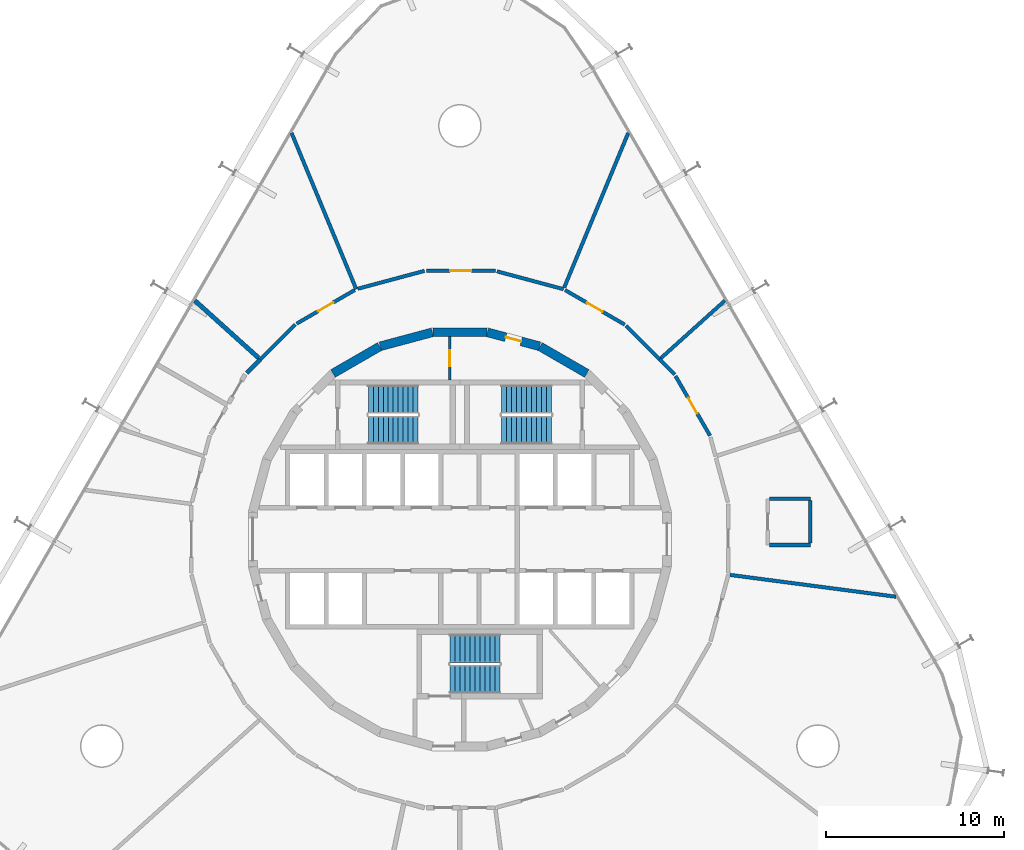
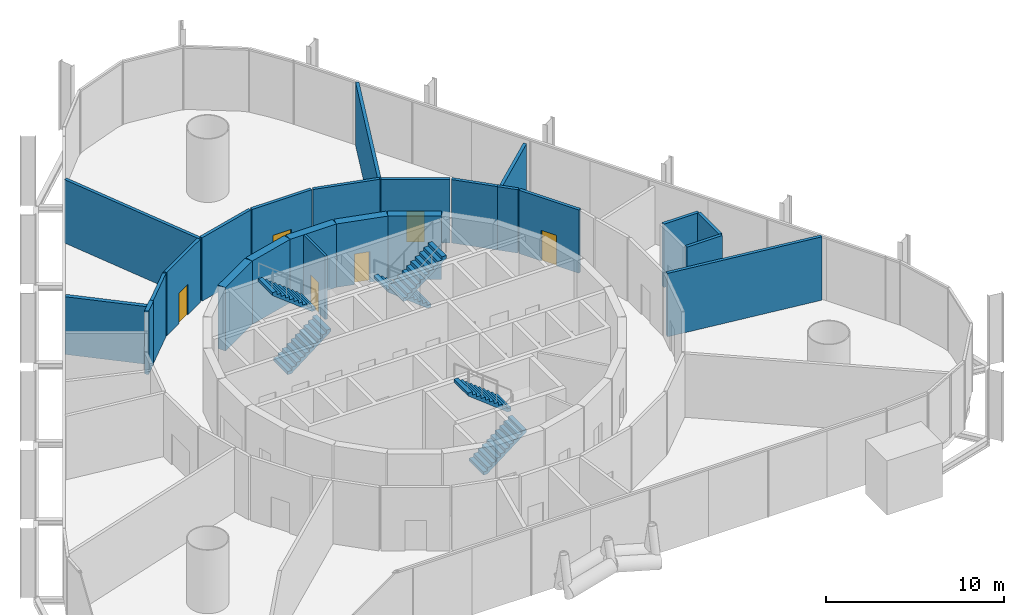
# One storey, part 16 of 17: 24 walls, 6 doors, 6 stair flights, 6 openings, 3 elements without a shape of their own.
"""IFC4 building model written with IfcOpenShell, lengths in metres."""

from ifc_helpers import new_model, si_unit, direction, frame, frame_2d, origin, place, context, subcontext, project, spatial, polyline, rectangle, outline, extrude, material, layer, layer_set, type_object, element, fill, aggregate, save


model = new_model("IFC4")

# Units and contexts
model_context = context("Model", 3, precision=1e-05, world=origin(), true_north=direction((0.0, 1.0)))
body_context = subcontext(model_context, "Body", "Model", "MODEL_VIEW")
ifc_project = project(units=[si_unit("LENGTHUNIT", "METRE"), si_unit("AREAUNIT", "SQUARE_METRE"), si_unit("VOLUMEUNIT", "CUBIC_METRE"), si_unit("PLANEANGLEUNIT", "RADIAN"), si_unit("MASSUNIT", "GRAM", prefix="KILO")], contexts=[model_context])

# Site, building, storey
site_placement = place(None, origin())
site = spatial("IfcSite", under=ifc_project, at=site_placement, CompositionType="ELEMENT")
building_placement = place(site_placement, origin())
building = spatial("IfcBuilding", under=site, at=building_placement, Name="Spindle Arch Residences", CompositionType="ELEMENT")
storey_placement = place(building_placement, frame((0.0, 0.0, 28.199951171875)))
storey = spatial("IfcBuildingStorey", under=building, at=storey_placement, Name="L05", CompositionType="ELEMENT", Elevation=28.199951171875)

# Wall
ifc_material_1 = material(Name="Concrete C50/60", Category="concrete")
ifc_layer_1 = layer(ifc_material_1, 0.5)
ifc_layer_set_1 = layer_set([ifc_layer_1], Name="Core outline wall 500")
wall_type_1 = type_object("IfcWallType", Name="Core outline wall 500", PredefinedType="SHEAR", material=ifc_layer_set_1)
wall_1_placement = place(storey_placement, frame((7.13671875, 9.32861328125, 0.0), z_axis=(0.0, 0.0, 1.0), x_axis=(-0.865975092491, 0.500087131594, 0.0)))
element("IfcWall", 1, at=wall_1_placement, inside=storey, type_object=wall_type_1, Name="Core outline wall 10", PredefinedType="SHEAR", context=body_context, shape_type="SweptSolid", body=[
    extrude(rectangle(XDim=3.03271484375, YDim=0.5, at=frame_2d((1.516357421875, 0.0))), origin(), (0.0, 0.0, 1.0), 4.35009765625),
])

# Wall, opening, door
wall_2_placement = place(storey_placement, frame((4.479248046875, 10.858154296875, 0.0), z_axis=(0.0, 0.0, 1.0), x_axis=(-0.965948410781, 0.258734743916, 0.0)))
wall_2 = element("IfcWall", 2, at=wall_2_placement, inside=storey, type_object=wall_type_1, Name="Core outline wall 11", PredefinedType="SHEAR", context=body_context, shape_type="SweptSolid", body=[
    extrude(rectangle(XDim=3.03271484375, YDim=0.5, at=frame_2d((1.516357421875, 0.0))), origin(), (0.0, 0.0, 1.0), 4.35009765625),
])
opening_1_placement = place(wall_2_placement, frame((1.066162109375, 0.0, 0.0)))
opening_1 = element("IfcOpeningElement", 3, at=opening_1_placement, cuts=wall_2, Name="Opening L05-WD12", PredefinedType="OPENING", context=body_context, shape_type="SweptSolid", body=[
    extrude(rectangle(XDim=0.89990234375, YDim=2.10009765625, at=frame_2d((0.449951171875, 1.050048828125))), frame((0.0, 0.260009765625, 0.0), z_axis=(0.0, -1.0, 0.0), x_axis=(1.0, 0.0, 0.0)), (0.0, 0.0, 1.0), 0.52001953125),
])
ifc_material_2 = material(Name="Steel, fire-resisting door", Category="steel")
door_type_1 = type_object("IfcDoorType", Name="Service room door 900x2100", OperationType="SINGLE_SWING_LEFT", PredefinedType="DOOR", material=ifc_material_2)
door_1_placement = place(opening_1_placement, origin())
door_1 = element("IfcDoor", 4, at=door_1_placement, inside=storey, type_object=door_type_1, Name="Service room door L05-WD12", OperationType="SINGLE_SWING_LEFT", OverallHeight=2.10009765625, OverallWidth=0.89990234375, PredefinedType="DOOR", context=body_context, shape_type="SweptSolid", body=[
    extrude(rectangle(XDim=0.89990234375, YDim=2.10009765625, at=frame_2d((0.449951171875, 1.050048828125))), frame((0.0, 0.02490234375, 0.0), z_axis=(0.0, -1.0, 0.0), x_axis=(1.0, 0.0, 0.0)), (0.0, 0.0, 1.0), 0.050048828125),
])
fill(opening_1, door_1)

# Walls
for number, where, z_axis, x_axis, name in (
    (5, (1.516357421875, 11.647216796875, 0.0), (0.0, 0.0, 1.0), (-1.0, 0.0, 0.0), "Core outline wall 12"),
    (6, (-1.5498046875, 11.642822265625, 0.0), (0.0, 0.0, 1.0), (-0.965948410781, -0.258734743916, 0.0), "Core outline wall 13"),
    (7, (-4.510498046875, 10.84521484375, 0.0), (0.0, 0.0, 1.0), (-0.865975092491, -0.500087131594, 0.0), "Core outline wall 14"),
):
    element("IfcWall", number, at=place(storey_placement, frame(where, z_axis=z_axis, x_axis=x_axis)), inside=storey, type_object=wall_type_1, Name=name, PredefinedType="SHEAR", context=body_context, shape_type="SweptSolid", body=[
        extrude(rectangle(XDim=3.03271484375, YDim=0.5, at=frame_2d((1.516357421875, 0.0))), origin(), (0.0, 0.0, 1.0), 4.35009765625),
    ])
ifc_material_3 = material(Name="Concrete C25/30 wall", Category="concrete")
ifc_layer_2 = layer(ifc_material_3, 0.25)
ifc_layer_set_2 = layer_set([ifc_layer_2], Name="Partition EI 120 250 store")
wall_type_2 = type_object("IfcWallType", Name="Partition EI 120 250 store", PredefinedType="PARTITIONING", material=ifc_layer_set_2)
wall_3_placement = place(storey_placement, frame((-11.322998046875, 10.20361328125, 0.0), z_axis=(0.0, 0.0, 1.0), x_axis=(-0.743490383827, 0.668746625529, 0.0)))
element("IfcWall", 8, at=wall_3_placement, inside=storey, type_object=wall_type_2, Name="L05-W016", PredefinedType="PARTITIONING", context=body_context, shape_type="SweptSolid", body=[
    extrude(rectangle(XDim=4.824462890625, YDim=0.25, at=frame_2d((2.412109375, 0.0))), origin(), (0.0, 0.0, 1.0), 3.9599609375),
])
wall_4_placement = place(storey_placement, frame((-11.22998046875, 10.1201171875, 0.0), z_axis=(0.0, 0.0, 1.0), x_axis=(-0.707106781187, -0.707106781187, 0.0)))
element("IfcWall", 9, at=wall_4_placement, inside=storey, type_object=wall_type_2, Name="L05-W017", PredefinedType="PARTITIONING", context=body_context, shape_type="SweptSolid", body=[
    extrude(rectangle(XDim=1.0771484375, YDim=0.25, at=frame_2d((0.53857421875, 0.0))), origin(), (0.0, 0.0, 1.0), 4.35009765625),
])
ifc_material_4 = material(Name="Gypsum board partition on steel studs", Category="steel")
ifc_layer_3 = layer(ifc_material_4, 0.199951171875)
ifc_layer_set_3 = layer_set([ifc_layer_3], Name="Partition EI 60 200 amenity")
wall_type_3 = type_object("IfcWallType", Name="Partition EI 60 200 amenity", PredefinedType="PARTITIONING", material=ifc_layer_set_3)
wall_5_placement = place(storey_placement, frame((-9.27001953125, 12.080078125, 0.0), z_axis=(0.0, 0.0, 1.0), x_axis=(-0.707106781187, -0.707106781187, 0.0)))
element("IfcWall", 10, at=wall_5_placement, inside=storey, type_object=wall_type_3, Name="L05-W019", PredefinedType="PARTITIONING", context=body_context, shape_type="SweptSolid", body=[
    extrude(rectangle(XDim=2.771728515625, YDim=0.199951171875, at=frame_2d((1.3857421875, 0.0))), origin(), (0.0, 0.0, 1.0), 4.35009765625),
])
wall_6_placement = place(storey_placement, frame((-5.830078125, 14.070068359375, 0.0), z_axis=(0.0, 0.0, 1.0), x_axis=(-0.382588257379, 0.923918949538, 0.0)))
element("IfcWall", 11, at=wall_6_placement, inside=storey, type_object=wall_type_3, Name="L05-W021", PredefinedType="PARTITIONING", context=body_context, shape_type="SweptSolid", body=[
    extrude(rectangle(XDim=9.513916015625, YDim=0.199951171875, at=frame_2d((4.7568359375, 0.0))), origin(), (0.0, 0.0, 1.0), 4.35009765625),
])

# Wall, opening, door
wall_7_placement = place(storey_placement, frame((-5.91650390625, 14.02001953125, 0.0), z_axis=(0.0, 0.0, 1.0), x_axis=(-0.865591582237, -0.500750649286, 0.0)))
wall_7 = element("IfcWall", 12, at=wall_7_placement, inside=storey, type_object=wall_type_3, Name="L05-W022", PredefinedType="PARTITIONING", context=body_context, shape_type="SweptSolid", body=[
    extrude(rectangle(XDim=3.774169921875, YDim=0.199951171875, at=frame_2d((1.88720703125, 0.0))), origin(), (0.0, 0.0, 1.0), 4.35009765625),
])
opening_2_placement = place(wall_7_placement, frame((1.38720703125, 0.0, 0.0)))
opening_2 = element("IfcOpeningElement", 13, at=opening_2_placement, cuts=wall_7, Name="Opening L05-D14", PredefinedType="OPENING", context=body_context, shape_type="SweptSolid", body=[
    extrude(rectangle(XDim=1.0, YDim=2.10009765625, at=frame_2d((0.5, 1.050048828125))), frame((0.0, 0.10986328125, 0.0), z_axis=(0.0, -1.0, 0.0), x_axis=(1.0, 0.0, 0.0)), (0.0, 0.0, 1.0), 0.219970703125),
])
ifc_material_5 = material(Name="Timber door leaf", Category="wood")
door_type_2 = type_object("IfcDoorType", Name="Door 1000x2100 EI 30", OperationType="SINGLE_SWING_LEFT", PredefinedType="DOOR", material=ifc_material_5)
door_2_placement = place(opening_2_placement, origin())
door_2 = element("IfcDoor", 14, at=door_2_placement, inside=storey, type_object=door_type_2, Name="L05-D14", OperationType="SINGLE_SWING_LEFT", OverallHeight=2.10009765625, OverallWidth=1.0, PredefinedType="DOOR", context=body_context, shape_type="SweptSolid", body=[
    extrude(rectangle(XDim=1.0, YDim=2.10009765625, at=frame_2d((0.5, 1.050048828125))), frame((0.0, 0.02490234375, 0.0), z_axis=(0.0, -1.0, 0.0), x_axis=(1.0, 0.0, 0.0)), (0.0, 0.0, 1.0), 0.050048828125),
])
fill(opening_2, door_2)

# Wall
wall_8_placement = place(storey_placement, frame((-1.989990234375, 15.10009765625, 0.0), z_axis=(0.0, 0.0, 1.0), x_axis=(-0.96585437197, -0.259085569159, 0.0)))
element("IfcWall", 15, at=wall_8_placement, inside=storey, type_object=wall_type_3, Name="L05-W026", PredefinedType="PARTITIONING", context=body_context, shape_type="SweptSolid", body=[
    extrude(rectangle(XDim=3.875732421875, YDim=0.199951171875, at=frame_2d((1.93798828125, 0.0))), origin(), (0.0, 0.0, 1.0), 4.35009765625),
])

# Wall, opening, door
wall_9_placement = place(storey_placement, frame((1.989990234375, 15.10009765625, 0.0), z_axis=(0.0, 0.0, 1.0), x_axis=(-1.0, 0.0, 0.0)))
wall_9 = element("IfcWall", 16, at=wall_9_placement, inside=storey, type_object=wall_type_3, Name="L05-W031", PredefinedType="PARTITIONING", context=body_context, shape_type="SweptSolid", body=[
    extrude(rectangle(XDim=3.8798828125, YDim=0.199951171875, at=frame_2d((1.93994140625, 0.0))), origin(), (0.0, 0.0, 1.0), 4.35009765625),
])
opening_3_placement = place(wall_9_placement, frame((1.340087890625, 0.0, 0.0)))
opening_3 = element("IfcOpeningElement", 17, at=opening_3_placement, cuts=wall_9, Name="Opening L05-D16", PredefinedType="OPENING", context=body_context, shape_type="SweptSolid", body=[
    extrude(rectangle(XDim=1.199951171875, YDim=2.10009765625, at=frame_2d((0.60009765625, 1.050048828125))), frame((0.0, 0.10986328125, 0.0), z_axis=(0.0, -1.0, 0.0), x_axis=(1.0, 0.0, 0.0)), (0.0, 0.0, 1.0), 0.219970703125),
])
ifc_material_6 = material(Name="Timber door leaf", Category="wood")
door_type_3 = type_object("IfcDoorType", Name="Door 1200x2100 EI 30", OperationType="SINGLE_SWING_LEFT", PredefinedType="DOOR", material=ifc_material_6)
door_3_placement = place(opening_3_placement, origin())
door_3 = element("IfcDoor", 18, at=door_3_placement, inside=storey, type_object=door_type_3, Name="L05-D16", OperationType="SINGLE_SWING_LEFT", OverallHeight=2.10009765625, OverallWidth=1.199951171875, PredefinedType="DOOR", context=body_context, shape_type="SweptSolid", body=[
    extrude(rectangle(XDim=1.199951171875, YDim=2.10009765625, at=frame_2d((0.60009765625, 1.050048828125))), frame((0.0, 0.02490234375, 0.0), z_axis=(0.0, -1.0, 0.0), x_axis=(1.0, 0.0, 0.0)), (0.0, 0.0, 1.0), 0.050048828125),
])
fill(opening_3, door_3)

# Wall
wall_10_placement = place(storey_placement, frame((5.830078125, 14.070068359375, 0.0), z_axis=(0.0, 0.0, 1.0), x_axis=(-0.965870133458, 0.259026804199, 0.0)))
element("IfcWall", 19, at=wall_10_placement, inside=storey, type_object=wall_type_3, Name="L05-W033", PredefinedType="PARTITIONING", context=body_context, shape_type="SweptSolid", body=[
    extrude(rectangle(XDim=3.875732421875, YDim=0.199951171875, at=frame_2d((1.93798828125, 0.0))), origin(), (0.0, 0.0, 1.0), 4.35009765625),
])

# Wall, opening, door
wall_11_placement = place(storey_placement, frame((9.27001953125, 12.080078125, 0.0), z_axis=(0.0, 0.0, 1.0), x_axis=(-0.865601686425, 0.500733182901, 0.0)))
wall_11 = element("IfcWall", 20, at=wall_11_placement, inside=storey, type_object=wall_type_3, Name="L05-W035", PredefinedType="PARTITIONING", context=body_context, shape_type="SweptSolid", body=[
    extrude(rectangle(XDim=3.874267578125, YDim=0.199951171875, at=frame_2d((1.93701171875, 0.0))), origin(), (0.0, 0.0, 1.0), 4.35009765625),
])
opening_4_placement = place(wall_11_placement, frame((1.43701171875, 0.0, 0.0)))
opening_4 = element("IfcOpeningElement", 21, at=opening_4_placement, cuts=wall_11, Name="Opening L05-D15", PredefinedType="OPENING", context=body_context, shape_type="SweptSolid", body=[
    extrude(rectangle(XDim=1.0, YDim=2.10009765625, at=frame_2d((0.5, 1.050048828125))), frame((0.0, 0.10986328125, 0.0), z_axis=(0.0, -1.0, 0.0), x_axis=(1.0, 0.0, 0.0)), (0.0, 0.0, 1.0), 0.219970703125),
])
door_4_placement = place(opening_4_placement, origin())
door_4 = element("IfcDoor", 22, at=door_4_placement, inside=storey, type_object=door_type_2, Name="L05-D15", OperationType="SINGLE_SWING_LEFT", OverallHeight=2.10009765625, OverallWidth=1.0, PredefinedType="DOOR", context=body_context, shape_type="SweptSolid", body=[
    extrude(rectangle(XDim=1.0, YDim=2.10009765625, at=frame_2d((0.5, 1.050048828125))), frame((0.0, 0.02490234375, 0.0), z_axis=(0.0, -1.0, 0.0), x_axis=(1.0, 0.0, 0.0)), (0.0, 0.0, 1.0), 0.050048828125),
])
fill(opening_4, door_4)

# Walls
wall_12_placement = place(storey_placement, frame((9.469970703125, 22.860107421875, 0.0), z_axis=(0.0, 0.0, 1.0), x_axis=(-0.382599926304, -0.923914117433, 0.0)))
element("IfcWall", 23, at=wall_12_placement, inside=storey, type_object=wall_type_3, Name="L05-W036", PredefinedType="PARTITIONING", context=body_context, shape_type="SweptSolid", body=[
    extrude(rectangle(XDim=9.4140625, YDim=0.199951171875, at=frame_2d((4.70703125, 0.0))), origin(), (0.0, 0.0, 1.0), 4.35009765625),
])
wall_13_placement = place(storey_placement, frame((11.22998046875, 10.1201171875, 0.0), z_axis=(0.0, 0.0, 1.0), x_axis=(-0.707106781187, 0.707106781187, 0.0)))
element("IfcWall", 24, at=wall_13_placement, inside=storey, type_object=wall_type_3, Name="L05-W037", PredefinedType="PARTITIONING", context=body_context, shape_type="SweptSolid", body=[
    extrude(rectangle(XDim=2.671630859375, YDim=0.199951171875, at=frame_2d((1.3359375, 0.0))), origin(), (0.0, 0.0, 1.0), 4.35009765625),
])
wall_14_placement = place(storey_placement, frame((11.304443359375, 10.186767578125, 0.0), z_axis=(0.0, 0.0, 1.0), x_axis=(0.743474354937, 0.668764445489, 0.0)))
element("IfcWall", 25, at=wall_14_placement, inside=storey, type_object=wall_type_3, Name="L05-W038", PredefinedType="PARTITIONING", context=body_context, shape_type="SweptSolid", body=[
    extrude(rectangle(XDim=4.849365234375, YDim=0.199951171875, at=frame_2d((2.4248046875, 0.0))), origin(), (0.0, 0.0, 1.0), 3.9599609375),
])
wall_15_placement = place(storey_placement, frame((12.080078125, 9.27001953125, 0.0), z_axis=(0.0, 0.0, 1.0), x_axis=(-0.707106781187, 0.707106781187, 0.0)))
element("IfcWall", 26, at=wall_15_placement, inside=storey, type_object=wall_type_3, Name="L05-W041", PredefinedType="PARTITIONING", context=body_context, shape_type="SweptSolid", body=[
    extrude(rectangle(XDim=1.2021484375, YDim=0.199951171875, at=frame_2d((0.60107421875, 0.0))), origin(), (0.0, 0.0, 1.0), 4.35009765625),
])

# Wall, opening, door
wall_16_placement = place(storey_placement, frame((14.070068359375, 5.830078125, 0.0), z_axis=(0.0, 0.0, 1.0), x_axis=(-0.500760497952, 0.865585884642, 0.0)))
wall_16 = element("IfcWall", 27, at=wall_16_placement, inside=storey, type_object=wall_type_3, Name="L05-W043", PredefinedType="PARTITIONING", context=body_context, shape_type="SweptSolid", body=[
    extrude(rectangle(XDim=3.8740234375, YDim=0.199951171875, at=frame_2d((1.93701171875, 0.0))), origin(), (0.0, 0.0, 1.0), 4.35009765625),
])
opening_5_placement = place(wall_16_placement, frame((1.43701171875, 0.0, 0.0)))
opening_5 = element("IfcOpeningElement", 28, at=opening_5_placement, cuts=wall_16, Name="Opening L05-D12", PredefinedType="OPENING", context=body_context, shape_type="SweptSolid", body=[
    extrude(rectangle(XDim=1.0, YDim=2.10009765625, at=frame_2d((0.5, 1.050048828125))), frame((0.0, 0.10986328125, 0.0), z_axis=(0.0, -1.0, 0.0), x_axis=(1.0, 0.0, 0.0)), (0.0, 0.0, 1.0), 0.219970703125),
])
door_5_placement = place(opening_5_placement, origin())
door_5 = element("IfcDoor", 29, at=door_5_placement, inside=storey, type_object=door_type_2, Name="L05-D12", OperationType="SINGLE_SWING_LEFT", OverallHeight=2.10009765625, OverallWidth=1.0, PredefinedType="DOOR", context=body_context, shape_type="SweptSolid", body=[
    extrude(rectangle(XDim=1.0, YDim=2.10009765625, at=frame_2d((0.5, 1.050048828125))), frame((0.0, 0.02490234375, 0.0), z_axis=(0.0, -1.0, 0.0), x_axis=(1.0, 0.0, 0.0)), (0.0, 0.0, 1.0), 0.050048828125),
])
fill(opening_5, door_5)

# Walls
wall_17_placement = place(storey_placement, frame((15.19921875, -2.0029296875, 0.0), z_axis=(0.0, 0.0, 1.0), x_axis=(0.991463740717, -0.130382709146, 0.0)))
element("IfcWall", 30, at=wall_17_placement, inside=storey, type_object=wall_type_3, Name="L05-W047", PredefinedType="PARTITIONING", context=body_context, shape_type="SweptSolid", body=[
    extrude(rectangle(XDim=9.4111328125, YDim=0.199951171875, at=frame_2d((4.70556640625, 0.0))), origin(), (0.0, 0.0, 1.0), 4.35009765625),
])
for number, where, z_axis, x_axis, name in (
    (31, (17.419921875, 2.280029296875, 0.0), (0.0, 0.0, 1.0), (1.0, 0.0, 0.0), "L05-W050"),
    (32, (19.719970703125, -0.320068359375, 0.0), (0.0, 0.0, 1.0), (-1.0, 0.0, 0.0), "L05-W051"),
):
    element("IfcWall", number, at=place(storey_placement, frame(where, z_axis=z_axis, x_axis=x_axis)), inside=storey, type_object=wall_type_3, Name=name, PredefinedType="PARTITIONING", context=body_context, shape_type="SweptSolid", body=[
        extrude(rectangle(XDim=2.300048828125, YDim=0.199951171875, at=frame_2d((1.14990234375, 0.0))), origin(), (0.0, 0.0, 1.0), 4.35009765625),
    ])
wall_18_placement = place(storey_placement, frame((19.719970703125, 2.179931640625, 0.0), z_axis=(0.0, 0.0, 1.0), x_axis=(0.0, -1.0, 0.0)))
element("IfcWall", 33, at=wall_18_placement, inside=storey, type_object=wall_type_3, Name="L05-W052", PredefinedType="PARTITIONING", context=body_context, shape_type="SweptSolid", body=[
    extrude(rectangle(XDim=2.39990234375, YDim=0.199951171875, at=frame_2d((1.199951171875, 0.0))), origin(), (0.0, 0.0, 1.0), 4.35009765625),
])

# Wall, opening, door
ifc_material_7 = material(Name="Concrete C25/30", Category="concrete")
ifc_layer_4 = layer(ifc_material_7, 0.14990234375)
ifc_layer_set_4 = layer_set([ifc_layer_4], Name="Service room partition 150")
wall_type_4 = type_object("IfcWallType", Name="Service room partition 150", PredefinedType="PARTITIONING", material=ifc_layer_set_4)
wall_19_placement = place(storey_placement, frame((-0.5615234375, 8.969970703125, 0.0), z_axis=(0.0, 0.0, 1.0), x_axis=(0.0, 1.0, 0.0)))
wall_19 = element("IfcWall", 34, at=wall_19_placement, inside=storey, type_object=wall_type_4, Name="Core service room partition", PredefinedType="PARTITIONING", context=body_context, shape_type="SweptSolid", body=[
    extrude(rectangle(XDim=2.42724609375, YDim=0.14990234375, at=frame_2d((1.213623046875, 0.0))), origin(), (0.0, 0.0, 1.0), 4.35009765625),
])
opening_6_placement = place(wall_19_placement, frame((0.763671875, 0.0, 0.0)))
opening_6 = element("IfcOpeningElement", 35, at=opening_6_placement, cuts=wall_19, Name="Opening L05-WD07", PredefinedType="OPENING", context=body_context, shape_type="SweptSolid", body=[
    extrude(rectangle(XDim=0.89990234375, YDim=2.10009765625, at=frame_2d((0.449951171875, 1.050048828125))), frame((0.0, 0.0849609375, 0.0), z_axis=(0.0, -1.0, 0.0), x_axis=(1.0, 0.0, 0.0)), (0.0, 0.0, 1.0), 0.169921875),
])
door_6_placement = place(opening_6_placement, origin())
door_6 = element("IfcDoor", 36, at=door_6_placement, inside=storey, type_object=door_type_1, Name="Service room door L05-WD07", OperationType="SINGLE_SWING_RIGHT", OverallHeight=2.10009765625, OverallWidth=0.89990234375, PredefinedType="DOOR", context=body_context, shape_type="SweptSolid", body=[
    extrude(rectangle(XDim=0.89990234375, YDim=2.10009765625, at=frame_2d((0.449951171875, 1.050048828125))), frame((0.0, 0.02490234375, 0.0), z_axis=(0.0, -1.0, 0.0), x_axis=(1.0, 0.0, 0.0)), (0.0, 0.0, 1.0), 0.050048828125),
])
fill(opening_6, door_6)

# Stair, stair flights
ifc_material_8 = material(Name="Concrete C50/60", Category="concrete")
stair_type = type_object("IfcStairType", Name="Exit stair 22 risers", PredefinedType="HALF_TURN_STAIR", material=ifc_material_8)
stair_1_placement = place(storey_placement, origin())
stair_1 = element("IfcStair", 37, at=stair_1_placement, inside=storey, type_object=stair_type, Name="L05 Exit stair ST1", PredefinedType="HALF_TURN_STAIR")
ifc_material_9 = material(Name="Concrete C50/60", Category="concrete")
stair_flight_type = type_object("IfcStairFlightType", Name="Exit stair flight", PredefinedType="STRAIGHT", material=ifc_material_9)
stair_flight_1_placement = place(storey_placement, frame((5.14990234375, 7.8701171875, 0.0), z_axis=(0.0, 0.0, 1.0), x_axis=(-1.0, 0.0, 0.0)))
stair_flight_1 = element("IfcStairFlight", 38, at=stair_flight_1_placement, type_object=stair_flight_type, Name="ST1 flight 1", NumberOfRisers=11, NumberOfTreads=10, PredefinedType="STRAIGHT", RiserHeight=0.218181818, TreadLength=0.28, context=body_context, shape_type="SweptSolid", body=[
    extrude(outline(polyline([(0.0, 0.0), (0.0, 0.21826171875), (0.280029296875, 0.21826171875), (0.280029296875, 0.436279296875), (0.56005859375, 0.436279296875), (0.56005859375, 0.654541015625), (0.840087890625, 0.654541015625), (0.840087890625, 0.872802734375), (1.1201171875, 0.872802734375), (1.1201171875, 1.0908203125), (1.39990234375, 1.0908203125), (1.39990234375, 1.30908203125), (1.679931640625, 1.30908203125), (1.679931640625, 1.52734375), (1.9599609375, 1.52734375), (1.9599609375, 1.745361328125), (2.239990234375, 1.745361328125), (2.239990234375, 1.963623046875), (2.52001953125, 1.963623046875), (2.52001953125, 2.181884765625), (2.800048828125, 2.181884765625), (2.800048828125, 2.39990234375), (2.800048828125, 1.99169921875), (0.243896484375, 0.0), (0.0, 0.0)])), frame((0.0, 0.800048828125, 0.0), z_axis=(0.0, -1.0, 0.0), x_axis=(1.0, 0.0, 0.0)), (0.0, 0.0, 1.0), 1.60009765625),
])
stair_flight_2_placement = place(storey_placement, frame((2.35009765625, 6.14990234375, 2.400146484375), z_axis=(0.0, 0.0, 1.0), x_axis=(1.0, 0.0, 0.0)))
stair_flight_2 = element("IfcStairFlight", 39, at=stair_flight_2_placement, type_object=stair_flight_type, Name="ST1 flight 2", NumberOfRisers=11, NumberOfTreads=10, PredefinedType="STRAIGHT", RiserHeight=0.218181818, TreadLength=0.28, context=body_context, shape_type="SweptSolid", body=[
    extrude(outline(polyline([(0.0, 0.0), (0.0, 0.21826171875), (0.280029296875, 0.21826171875), (0.280029296875, 0.436279296875), (0.56005859375, 0.436279296875), (0.56005859375, 0.654541015625), (0.840087890625, 0.654541015625), (0.840087890625, 0.872802734375), (1.1201171875, 0.872802734375), (1.1201171875, 1.0908203125), (1.39990234375, 1.0908203125), (1.39990234375, 1.30908203125), (1.679931640625, 1.30908203125), (1.679931640625, 1.52734375), (1.9599609375, 1.52734375), (1.9599609375, 1.745361328125), (2.239990234375, 1.745361328125), (2.239990234375, 1.963623046875), (2.52001953125, 1.963623046875), (2.52001953125, 2.181884765625), (2.800048828125, 2.181884765625), (2.800048828125, 2.39990234375), (2.800048828125, 1.99169921875), (0.243896484375, 0.0), (0.0, 0.0)])), frame((0.0, 0.800048828125, 0.0), z_axis=(0.0, -1.0, 0.0), x_axis=(1.0, 0.0, 0.0)), (0.0, 0.0, 1.0), 1.60009765625),
])
aggregate(stair_1, [stair_flight_1, stair_flight_2])

stair_2_placement = place(storey_placement, origin())
stair_2 = element("IfcStair", 40, at=stair_2_placement, inside=storey, type_object=stair_type, Name="L05 Exit stair ST2", PredefinedType="HALF_TURN_STAIR")
stair_flight_3_placement = place(storey_placement, frame((-5.14990234375, 6.14990234375, 0.0), z_axis=(0.0, 0.0, 1.0), x_axis=(1.0, 0.0, 0.0)))
stair_flight_3 = element("IfcStairFlight", 41, at=stair_flight_3_placement, type_object=stair_flight_type, Name="ST2 flight 1", NumberOfRisers=11, NumberOfTreads=10, PredefinedType="STRAIGHT", RiserHeight=0.218181818, TreadLength=0.28, context=body_context, shape_type="SweptSolid", body=[
    extrude(outline(polyline([(0.0, 0.0), (0.0, 0.21826171875), (0.280029296875, 0.21826171875), (0.280029296875, 0.436279296875), (0.56005859375, 0.436279296875), (0.56005859375, 0.654541015625), (0.840087890625, 0.654541015625), (0.840087890625, 0.872802734375), (1.1201171875, 0.872802734375), (1.1201171875, 1.0908203125), (1.39990234375, 1.0908203125), (1.39990234375, 1.30908203125), (1.679931640625, 1.30908203125), (1.679931640625, 1.52734375), (1.9599609375, 1.52734375), (1.9599609375, 1.745361328125), (2.239990234375, 1.745361328125), (2.239990234375, 1.963623046875), (2.52001953125, 1.963623046875), (2.52001953125, 2.181884765625), (2.800048828125, 2.181884765625), (2.800048828125, 2.39990234375), (2.800048828125, 1.99169921875), (0.243896484375, 0.0), (0.0, 0.0)])), frame((0.0, 0.800048828125, 0.0), z_axis=(0.0, -1.0, 0.0), x_axis=(1.0, 0.0, 0.0)), (0.0, 0.0, 1.0), 1.60009765625),
])
stair_flight_4_placement = place(storey_placement, frame((-2.35009765625, 7.8701171875, 2.400146484375), z_axis=(0.0, 0.0, 1.0), x_axis=(-1.0, 0.0, 0.0)))
stair_flight_4 = element("IfcStairFlight", 42, at=stair_flight_4_placement, type_object=stair_flight_type, Name="ST2 flight 2", NumberOfRisers=11, NumberOfTreads=10, PredefinedType="STRAIGHT", RiserHeight=0.218181818, TreadLength=0.28, context=body_context, shape_type="SweptSolid", body=[
    extrude(outline(polyline([(0.0, 0.0), (0.0, 0.21826171875), (0.280029296875, 0.21826171875), (0.280029296875, 0.436279296875), (0.56005859375, 0.436279296875), (0.56005859375, 0.654541015625), (0.840087890625, 0.654541015625), (0.840087890625, 0.872802734375), (1.1201171875, 0.872802734375), (1.1201171875, 1.0908203125), (1.39990234375, 1.0908203125), (1.39990234375, 1.30908203125), (1.679931640625, 1.30908203125), (1.679931640625, 1.52734375), (1.9599609375, 1.52734375), (1.9599609375, 1.745361328125), (2.239990234375, 1.745361328125), (2.239990234375, 1.963623046875), (2.52001953125, 1.963623046875), (2.52001953125, 2.181884765625), (2.800048828125, 2.181884765625), (2.800048828125, 2.39990234375), (2.800048828125, 1.99169921875), (0.243896484375, 0.0), (0.0, 0.0)])), frame((0.0, 0.800048828125, 0.0), z_axis=(0.0, -1.0, 0.0), x_axis=(1.0, 0.0, 0.0)), (0.0, 0.0, 1.0), 1.60009765625),
])
aggregate(stair_2, [stair_flight_3, stair_flight_4])

stair_3_placement = place(storey_placement, origin())
stair_3 = element("IfcStair", 43, at=stair_3_placement, inside=storey, type_object=stair_type, Name="L05 Exit stair ST3", PredefinedType="HALF_TURN_STAIR")
stair_flight_5_placement = place(storey_placement, frame((-0.550048828125, -7.8701171875, 0.0), z_axis=(0.0, 0.0, 1.0), x_axis=(1.0, 0.0, 0.0)))
stair_flight_5 = element("IfcStairFlight", 44, at=stair_flight_5_placement, type_object=stair_flight_type, Name="ST3 flight 1", NumberOfRisers=11, NumberOfTreads=10, PredefinedType="STRAIGHT", RiserHeight=0.218181818, TreadLength=0.28, context=body_context, shape_type="SweptSolid", body=[
    extrude(outline(polyline([(0.0, 0.0), (0.0, 0.21826171875), (0.280029296875, 0.21826171875), (0.280029296875, 0.436279296875), (0.56005859375, 0.436279296875), (0.56005859375, 0.654541015625), (0.840087890625, 0.654541015625), (0.840087890625, 0.872802734375), (1.1201171875, 0.872802734375), (1.1201171875, 1.0908203125), (1.39990234375, 1.0908203125), (1.39990234375, 1.30908203125), (1.679931640625, 1.30908203125), (1.679931640625, 1.52734375), (1.9599609375, 1.52734375), (1.9599609375, 1.745361328125), (2.239990234375, 1.745361328125), (2.239990234375, 1.963623046875), (2.52001953125, 1.963623046875), (2.52001953125, 2.181884765625), (2.800048828125, 2.181884765625), (2.800048828125, 2.39990234375), (2.800048828125, 1.99169921875), (0.243896484375, 0.0), (0.0, 0.0)])), frame((0.0, 0.800048828125, 0.0), z_axis=(0.0, -1.0, 0.0), x_axis=(1.0, 0.0, 0.0)), (0.0, 0.0, 1.0), 1.60009765625),
])
stair_flight_6_placement = place(storey_placement, frame((2.25, -6.14990234375, 2.400146484375), z_axis=(0.0, 0.0, 1.0), x_axis=(-1.0, 0.0, 0.0)))
stair_flight_6 = element("IfcStairFlight", 45, at=stair_flight_6_placement, type_object=stair_flight_type, Name="ST3 flight 2", NumberOfRisers=11, NumberOfTreads=10, PredefinedType="STRAIGHT", RiserHeight=0.218181818, TreadLength=0.28, context=body_context, shape_type="SweptSolid", body=[
    extrude(outline(polyline([(0.0, 0.0), (0.0, 0.21826171875), (0.280029296875, 0.21826171875), (0.280029296875, 0.436279296875), (0.56005859375, 0.436279296875), (0.56005859375, 0.654541015625), (0.840087890625, 0.654541015625), (0.840087890625, 0.872802734375), (1.1201171875, 0.872802734375), (1.1201171875, 1.0908203125), (1.39990234375, 1.0908203125), (1.39990234375, 1.30908203125), (1.679931640625, 1.30908203125), (1.679931640625, 1.52734375), (1.9599609375, 1.52734375), (1.9599609375, 1.745361328125), (2.239990234375, 1.745361328125), (2.239990234375, 1.963623046875), (2.52001953125, 1.963623046875), (2.52001953125, 2.181884765625), (2.800048828125, 2.181884765625), (2.800048828125, 2.39990234375), (2.800048828125, 1.99169921875), (0.243896484375, 0.0), (0.0, 0.0)])), frame((0.0, 0.800048828125, 0.0), z_axis=(0.0, -1.0, 0.0), x_axis=(1.0, 0.0, 0.0)), (0.0, 0.0, 1.0), 1.60009765625),
])
aggregate(stair_3, [stair_flight_5, stair_flight_6])

save(model, "model.ifc")
